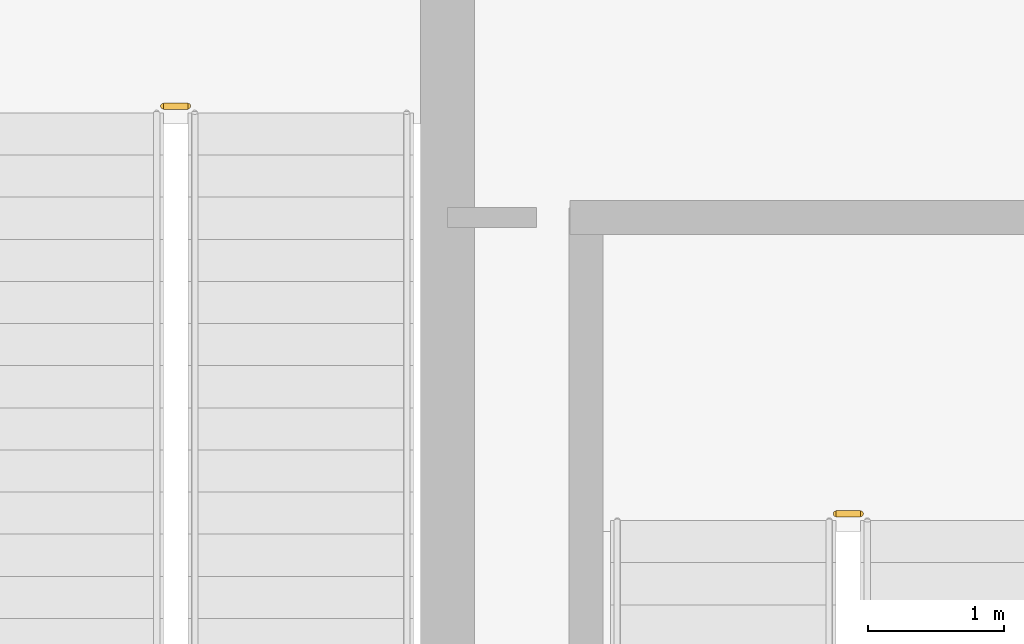
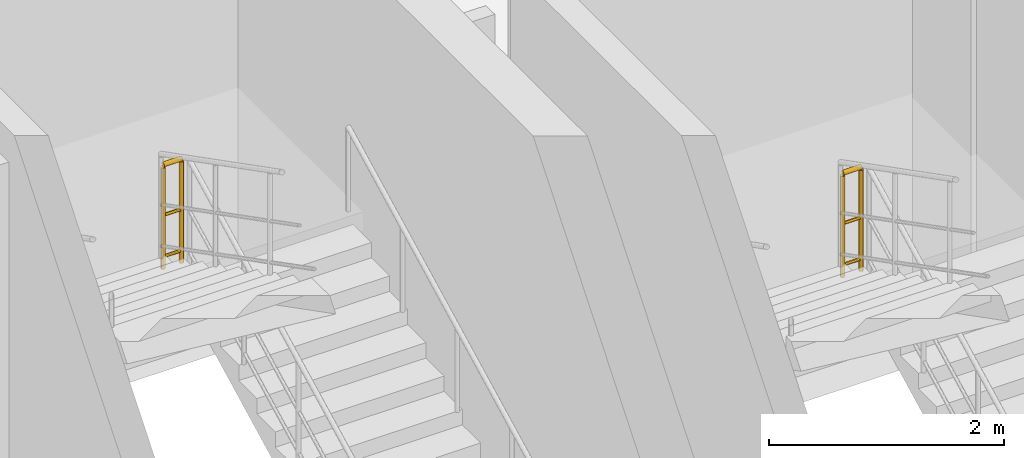
# One storey, part 24 of 24: 2 railings.
"""IFC4 building model written with IfcOpenShell, lengths in metres."""

from ifc_helpers import new_model, si_unit, direction, frame, origin, origin_2d, place, context, subcontext, project, spatial, circle, extrude, material, type_object, element, save


model = new_model("IFC4")

# Units and contexts
model_context = context("Model", 3, precision=1e-05, world=origin(), true_north=direction((0.0, 1.0)))
body_context = subcontext(model_context, "Body", "Model", "MODEL_VIEW")
ifc_project = project(units=[si_unit("LENGTHUNIT", "METRE"), si_unit("AREAUNIT", "SQUARE_METRE"), si_unit("VOLUMEUNIT", "CUBIC_METRE"), si_unit("PLANEANGLEUNIT", "RADIAN"), si_unit("MASSUNIT", "GRAM", prefix="KILO")], contexts=[model_context])

# Site, building, storey
site_placement = place(None, origin())
site = spatial("IfcSite", under=ifc_project, at=site_placement, CompositionType="ELEMENT")
building_placement = place(site_placement, origin())
building = spatial("IfcBuilding", under=site, at=building_placement, Name="Catumbela Crestline Tower", CompositionType="ELEMENT")
storey_placement = place(building_placement, frame((0.0, 0.0, 6.0)))
storey = spatial("IfcBuildingStorey", under=building, at=storey_placement, Name="L01", CompositionType="ELEMENT", Elevation=6.0)

# Railings
ifc_material = material(Name="Stainless steel EN 1.4401", Category="steel")
railing_type = type_object("IfcRailingType", Name="RG-1100", PredefinedType="GUARDRAIL", material=ifc_material)
for number, where, name in (
    (1, (38.09, 40.7, 2.55), "L01 ST-02 stair guard 2"),
    (2, (43.04, 37.7, 2.55), "L01 ST-04 stair guard 2"),
):
    element("IfcRailing", number, at=place(storey_placement, frame(where)), inside=storey, type_object=railing_type, Name=name, PredefinedType="GUARDRAIL", context=body_context, shape_type="SweptSolid", body=[
        extrude(circle(Radius=0.024, at=origin_2d()), frame((0.0, 0.0, 1.076), z_axis=(-1.0, 0.0, 0.0), x_axis=(0.0, -1.0, 0.0)), (0.0, 0.0, 1.0), 0.18),
        extrude(circle(Radius=0.0156, at=origin_2d()), frame((0.0, 0.0, 0.55), z_axis=(-1.0, 0.0, 0.0), x_axis=(0.0, -1.0, 0.0)), (0.0, 0.0, 1.0), 0.18),
        extrude(circle(Radius=0.0156, at=origin_2d()), frame((0.0, 0.0, 0.12), z_axis=(-1.0, 0.0, 0.0), x_axis=(0.0, -1.0, 0.0)), (0.0, 0.0, 1.0), 0.18),
        extrude(circle(Radius=0.021, at=origin_2d()), origin(), (0.0, 0.0, 1.0), 1.052),
        extrude(circle(Radius=0.021, at=origin_2d()), frame((-0.18, 0.0, 0.0)), (0.0, 0.0, 1.0), 1.052),
    ])

save(model, "model.ifc")
